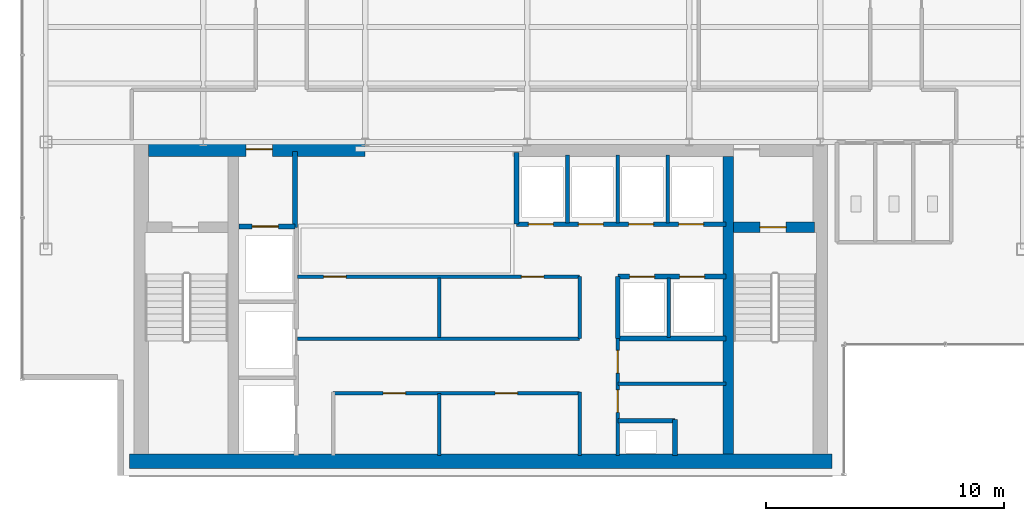
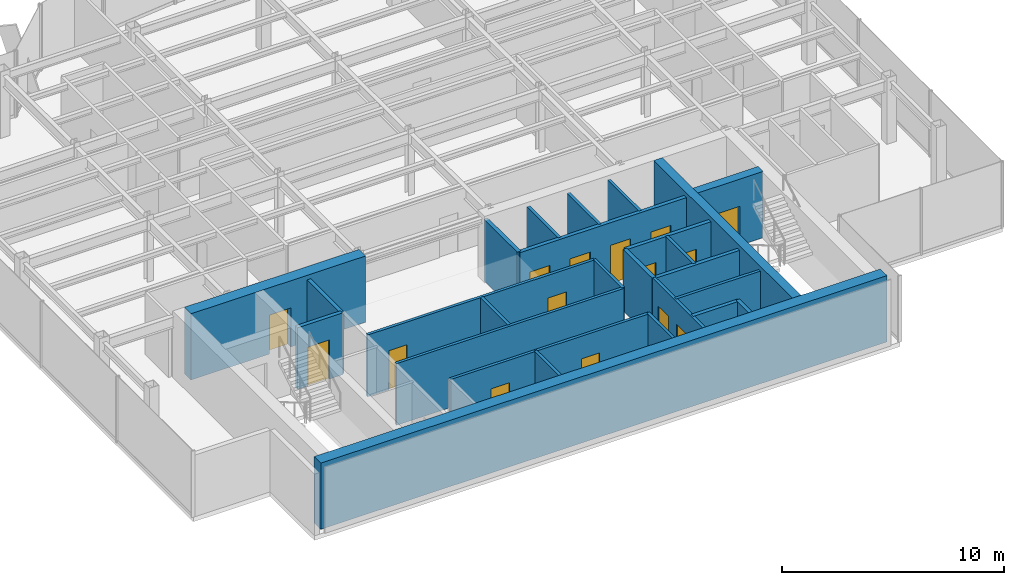
# One storey, part 17 of 22: 26 walls, 15 doors, 15 openings.
"""IFC4 building model written with IfcOpenShell, lengths in metres."""

from ifc_helpers import new_model, si_unit, derived_unit, direction, frame, frame_2d, origin, place, context, subcontext, project, spatial, rectangle, extrude, source, transform, mapped, material, layer, layer_set, type_object, element, fill, save


model = new_model("IFC4")

# Units and contexts
model_context = context("Model", 3, precision=1e-05, world=origin(), true_north=direction((0.0, 1.0)))
body_context = subcontext(model_context, "Body", "Model", "MODEL_VIEW")
ifc_project = project(units=[si_unit("LENGTHUNIT", "METRE"), si_unit("AREAUNIT", "SQUARE_METRE"), si_unit("VOLUMEUNIT", "CUBIC_METRE"), si_unit("PLANEANGLEUNIT", "RADIAN"), si_unit("MASSUNIT", "GRAM", prefix="KILO"), derived_unit("THERMALTRANSMITTANCEUNIT", [(si_unit("POWERUNIT", "WATT"), 1), (si_unit("LENGTHUNIT", "METRE"), -2), (si_unit("THERMODYNAMICTEMPERATUREUNIT", "KELVIN"), -1)])], contexts=[model_context])

# Site, building, storey
site_placement = place(None, origin())
site = spatial("IfcSite", under=ifc_project, at=site_placement, CompositionType="ELEMENT")
building_placement = place(site_placement, origin())
building = spatial("IfcBuilding", under=site, at=building_placement, Name="Skarnbrae Concourse Arena and Tower", CompositionType="ELEMENT")
storey_placement = place(building_placement, frame((0.0, 0.0, 266.10009765625)))
storey = spatial("IfcBuildingStorey", under=building, at=storey_placement, Name="L69", CompositionType="ELEMENT", Elevation=266.10009765625)

# Wall, opening, door
ifc_material_1 = material(Name="Concrete 50 MPa (C50/60)", Category="concrete")
ifc_layer_1 = layer(ifc_material_1, 0.449951171875)
ifc_layer_set_1 = layer_set([ifc_layer_1], Name="Concrete 50 MPa (C50/60)")
wall_type_1 = type_object("IfcWallType", Name="WALL-CORE-450-C50", PredefinedType="SHEAR", material=ifc_layer_set_1)
shared_shape_1 = source(origin(), body_context, "Body", "SweptSolid", [
    extrude(rectangle(XDim=3.389892578125, YDim=0.449951171875, at=frame_2d((1.69482421875, 0.0))), origin(), (0.0, 0.0, 1.0), 3.64990234375),
])
wall_1_placement = place(storey_placement, frame((29.860107421875, 10.419921875, 0.0), z_axis=(0.0, 0.0, 1.0), x_axis=(1.0, 0.0, 0.0)))
wall_1 = element("IfcWall", 1, at=wall_1_placement, inside=storey, type_object=wall_type_1, Name="L69 Rear core shear wall CW-ST2-N", PredefinedType="SHEAR", context=body_context, shape_type="MappedRepresentation", body=[
    mapped(shared_shape_1, transform((0.0, 0.0, 0.0))),
])
opening_1_placement = place(wall_1_placement, frame((1.10009765625, 0.0, 0.0)))
opening_1 = element("IfcOpeningElement", 2, at=opening_1_placement, cuts=wall_1, Name="Opening DT-03", PredefinedType="OPENING", context=body_context, shape_type="SweptSolid", body=[
    extrude(rectangle(XDim=1.10009765625, YDim=2.14990234375, at=frame_2d((0.550048828125, 1.074951171875))), frame((0.0, 0.23486328125, 0.0), z_axis=(0.0, -1.0, 0.0), x_axis=(1.0, 0.0, 0.0)), (0.0, 0.0, 1.0), 0.469970703125),
])
ifc_material_2 = material(Name="Steel CSA G40.21 350W", Category="steel")
door_type_1 = type_object("IfcDoorType", Name="DOOR-FIRE-1100-90M", OperationType="NOTDEFINED", PredefinedType="DOOR", material=ifc_material_2)
shared_shape_2 = source(origin(), body_context, "Body", "SweptSolid", [
    extrude(rectangle(XDim=1.10009765625, YDim=2.14990234375, at=frame_2d((0.550048828125, 1.074951171875))), frame((0.0, 0.02490234375, 0.0), z_axis=(0.0, -1.0, 0.0), x_axis=(1.0, 0.0, 0.0)), (0.0, 0.0, 1.0), 0.050048828125),
])
door_1_placement = place(opening_1_placement, frame((1.10009765625, 0.0, 0.0), z_axis=(0.0, 0.0, 1.0), x_axis=(-1.0, 0.0, 0.0)))
door_1 = element("IfcDoor", 3, at=door_1_placement, inside=storey, type_object=door_type_1, Name="D-2078 Stair ST-2 Door", OperationType="SINGLE_SWING_RIGHT", OverallHeight=2.14990234375, OverallWidth=1.10009765625, PredefinedType="DOOR", context=body_context, shape_type="MappedRepresentation", body=[
    mapped(shared_shape_2, transform((0.0, 0.0, 0.0))),
])
fill(opening_1, door_1)

# Wall
ifc_layer_2 = layer(ifc_material_1, 0.60009765625)
ifc_layer_set_2 = layer_set([ifc_layer_2], Name="Concrete 50 MPa (C50/60)")
wall_type_2 = type_object("IfcWallType", Name="WALL-CORE-600-C50", PredefinedType="SHEAR", material=ifc_layer_set_2)
shared_shape_3 = source(origin(), body_context, "Body", "SweptSolid", [
    extrude(rectangle(XDim=29.5, YDim=0.60009765625, at=frame_2d((14.75, 0.0))), origin(), (0.0, 0.0, 1.0), 3.64990234375),
])
wall_2_placement = place(storey_placement, frame((4.5, 0.60009765625, 0.0), z_axis=(0.0, 0.0, 1.0), x_axis=(1.0, 0.0, 0.0)))
element("IfcWall", 4, at=wall_2_placement, inside=storey, type_object=wall_type_2, Name="L69 Rear core shear wall CW-S", PredefinedType="SHEAR", context=body_context, shape_type="MappedRepresentation", body=[
    mapped(shared_shape_3, transform((0.0, 0.0, 0.0))),
])

# Wall, opening, door
shared_shape_4 = source(origin(), body_context, "Body", "SweptSolid", [
    extrude(rectangle(XDim=9.099853515625, YDim=0.60009765625, at=frame_2d((4.5498046875, 0.0))), origin(), (0.0, 0.0, 1.0), 3.64990234375),
])
wall_3_placement = place(storey_placement, frame((5.300048828125, 13.699951171875, 0.0), z_axis=(0.0, 0.0, 1.0), x_axis=(1.0, 0.0, 0.0)))
wall_3 = element("IfcWall", 5, at=wall_3_placement, inside=storey, type_object=wall_type_2, Name="L69 Rear core shear wall CW-NW", PredefinedType="SHEAR", context=body_context, shape_type="MappedRepresentation", body=[
    mapped(shared_shape_4, transform((0.0, 0.0, 0.0))),
])
opening_2_placement = place(wall_3_placement, frame((4.10009765625, 0.0, 0.0)))
opening_2 = element("IfcOpeningElement", 6, at=opening_2_placement, cuts=wall_3, Name="Opening DT-03", PredefinedType="OPENING", context=body_context, shape_type="SweptSolid", body=[
    extrude(rectangle(XDim=1.10009765625, YDim=2.14990234375, at=frame_2d((0.550048828125, 1.074951171875))), frame((0.0, 0.31005859375, 0.0), z_axis=(0.0, -1.0, 0.0), x_axis=(1.0, 0.0, 0.0)), (0.0, 0.0, 1.0), 0.6201171875),
])
door_2_placement = place(opening_2_placement, origin())
door_2 = element("IfcDoor", 7, at=door_2_placement, inside=storey, type_object=door_type_1, Name="D-2079 Firefighting Lobby Exit Door", OperationType="SINGLE_SWING_RIGHT", OverallHeight=2.14990234375, OverallWidth=1.10009765625, PredefinedType="DOOR", context=body_context, shape_type="MappedRepresentation", body=[
    mapped(shared_shape_2, transform((0.0, 0.0, 0.0))),
])
fill(opening_2, door_2)

# Walls
shared_shape_5 = source(origin(), body_context, "Body", "SweptSolid", [
    extrude(rectangle(XDim=12.5, YDim=0.449951171875, at=frame_2d((6.25, 0.0))), origin(), (0.0, 0.0, 1.0), 3.64990234375),
])
wall_4_placement = place(storey_placement, frame((29.635009765625, 0.89990234375, 0.0), z_axis=(0.0, 0.0, 1.0), x_axis=(0.0, 1.0, 0.0)))
element("IfcWall", 8, at=wall_4_placement, inside=storey, type_object=wall_type_1, Name="L69 Rear core shear wall CW-WEB-E", PredefinedType="SHEAR", context=body_context, shape_type="MappedRepresentation", body=[
    mapped(shared_shape_5, transform((0.0, 0.0, 0.0))),
])
ifc_material_3 = material(Name="Gypsum board on cold-formed steel studs", Category="steel")
ifc_layer_3 = layer(ifc_material_3, 0.199951171875)
ifc_layer_set_3 = layer_set([ifc_layer_3], Name="Gypsum board on cold-formed steel studs")
wall_type_3 = type_object("IfcWallType", Name="WALL-PART-200-2HR", PredefinedType="PARTITIONING", material=ifc_layer_set_3)
shared_shape_6 = source(origin(), body_context, "Body", "SweptSolid", [
    extrude(rectangle(XDim=3.18017578125, YDim=0.199951171875, at=frame_2d((1.590087890625, 0.0))), origin(), (0.0, 0.0, 1.0), 3.39990234375),
])
wall_5_placement = place(storey_placement, frame((11.449951171875, 10.419921875, 0.0), z_axis=(0.0, 0.0, 1.0), x_axis=(0.0, 1.0, 0.0)))
element("IfcWall", 9, at=wall_5_placement, inside=storey, type_object=wall_type_3, Name="L69 Interior partition wall W-L69-FFL-E", PredefinedType="PARTITIONING", context=body_context, shape_type="MappedRepresentation", body=[
    mapped(shared_shape_6, transform((0.0, 0.0, 0.0))),
])

# Wall, opening, door
shared_shape_7 = source(origin(), body_context, "Body", "SweptSolid", [
    extrude(rectangle(XDim=2.349853515625, YDim=0.199951171875, at=frame_2d((1.1748046875, 0.0))), origin(), (0.0, 0.0, 1.0), 3.39990234375),
])
wall_6_placement = place(storey_placement, frame((9.10009765625, 10.449951171875, 0.0), z_axis=(0.0, 0.0, 1.0), x_axis=(1.0, 0.0, 0.0)))
wall_6 = element("IfcWall", 10, at=wall_6_placement, inside=storey, type_object=wall_type_3, Name="L69 Interior partition wall W-L69-FL1-N", PredefinedType="PARTITIONING", context=body_context, shape_type="MappedRepresentation", body=[
    mapped(shared_shape_7, transform((0.0, 0.0, 0.0))),
])
opening_3_placement = place(wall_6_placement, frame((0.550048828125, 0.0, 0.0)))
opening_3 = element("IfcOpeningElement", 11, at=opening_3_placement, cuts=wall_6, Name="Opening LD-01", PredefinedType="OPENING", context=body_context, shape_type="SweptSolid", body=[
    extrude(rectangle(XDim=1.10009765625, YDim=2.14990234375, at=frame_2d((0.550048828125, 1.074951171875))), frame((0.0, 0.10986328125, 0.0), z_axis=(0.0, -1.0, 0.0), x_axis=(1.0, 0.0, 0.0)), (0.0, 0.0, 1.0), 0.219970703125),
])
door_type_2 = type_object("IfcDoorType", Name="DOOR-LIFT-SLIDE-1100", OperationType="SLIDING_TO_LEFT", PredefinedType="DOOR", material=ifc_material_2)
door_3_placement = place(opening_3_placement, origin())
door_3 = element("IfcDoor", 12, at=door_3_placement, inside=storey, type_object=door_type_2, Name="D-2081 Firefighting Lift Landing Door FL-01", OperationType="SLIDING_TO_LEFT", OverallHeight=2.14990234375, OverallWidth=1.10009765625, PredefinedType="DOOR", context=body_context, shape_type="MappedRepresentation", body=[
    mapped(shared_shape_2, transform((0.0, 0.0, 0.0))),
])
fill(opening_3, door_3)

# Walls
ifc_layer_4 = layer(ifc_material_3, 0.14990234375)
ifc_layer_set_4 = layer_set([ifc_layer_4], Name="Gypsum board on cold-formed steel studs")
wall_type_4 = type_object("IfcWallType", Name="WALL-PART-150", PredefinedType="PARTITIONING", material=ifc_layer_set_4)
shared_shape_8 = source(origin(), body_context, "Body", "SweptSolid", [
    extrude(rectangle(XDim=2.599853515625, YDim=0.14990234375, at=frame_2d((1.2998046875, 0.0))), origin(), (0.0, 0.0, 1.0), 3.39990234375),
])
wall_7_placement = place(storey_placement, frame((17.5, 0.85009765625, 0.0), z_axis=(0.0, 0.0, 1.0), x_axis=(0.0, 1.0, 0.0)))
element("IfcWall", 13, at=wall_7_placement, inside=storey, type_object=wall_type_4, Name="L69 Interior partition wall W-L69-B1M-C1", PredefinedType="PARTITIONING", context=body_context, shape_type="MappedRepresentation", body=[
    mapped(shared_shape_8, transform((0.0, 0.0, 0.0))),
])
shared_shape_9 = source(origin(), body_context, "Body", "SweptSolid", [
    extrude(rectangle(XDim=2.60009765625, YDim=0.199951171875, at=frame_2d((1.300048828125, 0.0))), origin(), (0.0, 0.0, 1.0), 3.39990234375),
])
wall_8_placement = place(storey_placement, frame((25.0, 5.75, 0.0), z_axis=(0.0, 0.0, 1.0), x_axis=(0.0, 1.0, 0.0)))
element("IfcWall", 14, at=wall_8_placement, inside=storey, type_object=wall_type_3, Name="L69 Interior partition wall W-L69-B3S-W", PredefinedType="PARTITIONING", context=body_context, shape_type="MappedRepresentation", body=[
    mapped(shared_shape_9, transform((0.0, 0.0, 0.0))),
])
shared_shape_10 = source(origin(), body_context, "Body", "SweptSolid", [
    extrude(rectangle(XDim=2.5, YDim=0.14990234375, at=frame_2d((1.25, 0.0))), origin(), (0.0, 0.0, 1.0), 3.39990234375),
])
for number, where, z_axis, x_axis, name in (
    (15, (17.5, 5.800048828125, 0.0), (0.0, 0.0, 1.0), (0.0, 1.0, 0.0), "L69 Interior partition wall W-L69-B2M-MID"),
    (16, (27.139892578125, 5.800048828125, 0.0), (0.0, 0.0, 1.0), (0.0, 1.0, 0.0), "L69 Interior partition wall W-L69-B3S-P1"),
):
    element("IfcWall", number, at=place(storey_placement, frame(where, z_axis=z_axis, x_axis=x_axis)), inside=storey, type_object=wall_type_4, Name=name, PredefinedType="PARTITIONING", context=body_context, shape_type="MappedRepresentation", body=[
        mapped(shared_shape_10, transform((0.0, 0.0, 0.0))),
    ])

# Wall, openings, doors
shared_shape_11 = source(origin(), body_context, "Body", "SweptSolid", [
    extrude(rectangle(XDim=8.800048828125, YDim=0.199951171875, at=frame_2d((4.39990234375, 0.0))), origin(), (0.0, 0.0, 1.0), 3.39990234375),
])
wall_9_placement = place(storey_placement, frame((20.75, 10.550048828125, 0.0), z_axis=(0.0, 0.0, 1.0), x_axis=(1.0, 0.0, 0.0)))
wall_9 = element("IfcWall", 17, at=wall_9_placement, inside=storey, type_object=wall_type_3, Name="L69 Interior partition wall W-L69-B3N-S", PredefinedType="PARTITIONING", context=body_context, shape_type="MappedRepresentation", body=[
    mapped(shared_shape_11, transform((0.0, 0.0, 0.0))),
])
opening_4_placement = place(wall_9_placement, frame((0.5, 0.0, 0.0)))
opening_4 = element("IfcOpeningElement", 18, at=opening_4_placement, cuts=wall_9, Name="Opening LD-04", PredefinedType="OPENING", context=body_context, shape_type="SweptSolid", body=[
    extrude(rectangle(XDim=1.050048828125, YDim=2.14990234375, at=frame_2d((0.52490234375, 1.074951171875))), frame((0.0, 0.10986328125, 0.0), z_axis=(0.0, -1.0, 0.0), x_axis=(1.0, 0.0, 0.0)), (0.0, 0.0, 1.0), 0.219970703125),
])
opening_5_placement = place(wall_9_placement, frame((2.60009765625, 0.0, 0.0)))
opening_5 = element("IfcOpeningElement", 19, at=opening_5_placement, cuts=wall_9, Name="Opening LD-04", PredefinedType="OPENING", context=body_context, shape_type="SweptSolid", body=[
    extrude(rectangle(XDim=1.050048828125, YDim=2.14990234375, at=frame_2d((0.52490234375, 1.074951171875))), frame((0.0, 0.10986328125, 0.0), z_axis=(0.0, -1.0, 0.0), x_axis=(1.0, 0.0, 0.0)), (0.0, 0.0, 1.0), 0.219970703125),
])
opening_6_placement = place(wall_9_placement, frame((4.699951171875, 0.0, 0.0)))
opening_6 = element("IfcOpeningElement", 20, at=opening_6_placement, cuts=wall_9, Name="Opening LD-04", PredefinedType="OPENING", context=body_context, shape_type="SweptSolid", body=[
    extrude(rectangle(XDim=1.050048828125, YDim=2.14990234375, at=frame_2d((0.52490234375, 1.074951171875))), frame((0.0, 0.10986328125, 0.0), z_axis=(0.0, -1.0, 0.0), x_axis=(1.0, 0.0, 0.0)), (0.0, 0.0, 1.0), 0.219970703125),
])
opening_7_placement = place(wall_9_placement, frame((6.800048828125, 0.0, 0.0)))
opening_7 = element("IfcOpeningElement", 21, at=opening_7_placement, cuts=wall_9, Name="Opening LD-04", PredefinedType="OPENING", context=body_context, shape_type="SweptSolid", body=[
    extrude(rectangle(XDim=1.050048828125, YDim=2.14990234375, at=frame_2d((0.52490234375, 1.074951171875))), frame((0.0, 0.10986328125, 0.0), z_axis=(0.0, -1.0, 0.0), x_axis=(1.0, 0.0, 0.0)), (0.0, 0.0, 1.0), 0.219970703125),
])
ifc_material_4 = material(Name="Bronze anodised aluminium 6063-T6", Category="aluminium")
door_type_3 = type_object("IfcDoorType", Name="DOOR-LIFT-SLIDE-1050H", OperationType="SLIDING_TO_LEFT", PredefinedType="DOOR", material=ifc_material_4)
shared_shape_12 = source(origin(), body_context, "Body", "SweptSolid", [
    extrude(rectangle(XDim=1.050048828125, YDim=2.14990234375, at=frame_2d((0.52490234375, 1.074951171875))), frame((0.0, 0.02490234375, 0.0), z_axis=(0.0, -1.0, 0.0), x_axis=(1.0, 0.0, 0.0)), (0.0, 0.0, 1.0), 0.050048828125),
])
door_4_placement = place(opening_4_placement, frame((1.050048828125, 0.0, 0.0), z_axis=(0.0, 0.0, 1.0), x_axis=(-1.0, 0.0, 0.0)))
door_4 = element("IfcDoor", 22, at=door_4_placement, inside=storey, type_object=door_type_3, Name="D-2088 Passenger Lift Landing Door PL-3A", OperationType="SLIDING_TO_LEFT", OverallHeight=2.14990234375, OverallWidth=1.050048828125, PredefinedType="DOOR", context=body_context, shape_type="MappedRepresentation", body=[
    mapped(shared_shape_12, transform((0.0, 0.0, 0.0))),
])
fill(opening_4, door_4)
door_5_placement = place(opening_5_placement, frame((1.050048828125, 0.0, 0.0), z_axis=(0.0, 0.0, 1.0), x_axis=(-1.0, 0.0, 0.0)))
door_5 = element("IfcDoor", 23, at=door_5_placement, inside=storey, type_object=door_type_3, Name="D-2089 Passenger Lift Landing Door PL-3B", OperationType="SLIDING_TO_LEFT", OverallHeight=2.14990234375, OverallWidth=1.050048828125, PredefinedType="DOOR", context=body_context, shape_type="MappedRepresentation", body=[
    mapped(shared_shape_12, transform((0.0, 0.0, 0.0))),
])
fill(opening_5, door_5)
door_6_placement = place(opening_6_placement, frame((1.050048828125, 0.0, 0.0), z_axis=(0.0, 0.0, 1.0), x_axis=(-1.0, 0.0, 0.0)))
door_6 = element("IfcDoor", 24, at=door_6_placement, inside=storey, type_object=door_type_3, Name="D-2090 Passenger Lift Landing Door PL-3C", OperationType="SLIDING_TO_LEFT", OverallHeight=2.14990234375, OverallWidth=1.050048828125, PredefinedType="DOOR", context=body_context, shape_type="MappedRepresentation", body=[
    mapped(shared_shape_12, transform((0.0, 0.0, 0.0))),
])
fill(opening_6, door_6)
door_7_placement = place(opening_7_placement, frame((1.050048828125, 0.0, 0.0), z_axis=(0.0, 0.0, 1.0), x_axis=(-1.0, 0.0, 0.0)))
door_7 = element("IfcDoor", 25, at=door_7_placement, inside=storey, type_object=door_type_3, Name="D-2091 Passenger Lift Landing Door PL-3D", OperationType="SLIDING_TO_LEFT", OverallHeight=2.14990234375, OverallWidth=1.050048828125, PredefinedType="DOOR", context=body_context, shape_type="MappedRepresentation", body=[
    mapped(shared_shape_12, transform((0.0, 0.0, 0.0))),
])
fill(opening_7, door_7)

# Walls
shared_shape_13 = source(origin(), body_context, "Body", "SweptSolid", [
    extrude(rectangle(XDim=3.0, YDim=0.199951171875, at=frame_2d((1.5, 0.0))), origin(), (0.0, 0.0, 1.0), 3.39990234375),
])
wall_10_placement = place(storey_placement, frame((20.75, 10.550048828125, 0.0), z_axis=(0.0, 0.0, 1.0), x_axis=(0.0, 1.0, 0.0)))
element("IfcWall", 26, at=wall_10_placement, inside=storey, type_object=wall_type_3, Name="L69 Interior partition wall W-L69-B3N-W", PredefinedType="PARTITIONING", context=body_context, shape_type="MappedRepresentation", body=[
    mapped(shared_shape_13, transform((0.0, 0.0, 0.0))),
])
shared_shape_14 = source(origin(), body_context, "Body", "SweptSolid", [
    extrude(rectangle(XDim=2.849853515625, YDim=0.14990234375, at=frame_2d((1.4248046875, 0.0))), origin(), (0.0, 0.0, 1.0), 3.39990234375),
])
for number, where, z_axis, x_axis, name in (
    (27, (22.889892578125, 10.60009765625, 0.0), (0.0, 0.0, 1.0), (0.0, 1.0, 0.0), "L69 Interior partition wall W-L69-B3N-P1"),
    (28, (24.989990234375, 10.60009765625, 0.0), (0.0, 0.0, 1.0), (0.0, 1.0, 0.0), "L69 Interior partition wall W-L69-B3N-P2"),
    (29, (27.090087890625, 10.60009765625, 0.0), (0.0, 0.0, 1.0), (0.0, 1.0, 0.0), "L69 Interior partition wall W-L69-B3N-P3"),
):
    element("IfcWall", number, at=place(storey_placement, frame(where, z_axis=z_axis, x_axis=x_axis)), inside=storey, type_object=wall_type_4, Name=name, PredefinedType="PARTITIONING", context=body_context, shape_type="MappedRepresentation", body=[
        mapped(shared_shape_14, transform((0.0, 0.0, 0.0))),
    ])

# Wall, openings, doors
shared_shape_15 = source(origin(), body_context, "Body", "SweptSolid", [
    extrude(rectangle(XDim=4.550048828125, YDim=0.199951171875, at=frame_2d((2.27490234375, 0.0))), origin(), (0.0, 0.0, 1.0), 3.39990234375),
])
wall_11_placement = place(storey_placement, frame((25.0, 8.35009765625, 0.0), z_axis=(0.0, 0.0, 1.0), x_axis=(1.0, 0.0, 0.0)))
wall_11 = element("IfcWall", 30, at=wall_11_placement, inside=storey, type_object=wall_type_3, Name="L69 Interior partition wall W-L69-B3S-N", PredefinedType="PARTITIONING", context=body_context, shape_type="MappedRepresentation", body=[
    mapped(shared_shape_15, transform((0.0, 0.0, 0.0))),
])
opening_8_placement = place(wall_11_placement, frame((0.5, 0.0, 0.0)))
opening_8 = element("IfcOpeningElement", 31, at=opening_8_placement, cuts=wall_11, Name="Opening LD-04", PredefinedType="OPENING", context=body_context, shape_type="SweptSolid", body=[
    extrude(rectangle(XDim=1.050048828125, YDim=2.14990234375, at=frame_2d((0.52490234375, 1.074951171875))), frame((0.0, 0.10986328125, 0.0), z_axis=(0.0, -1.0, 0.0), x_axis=(1.0, 0.0, 0.0)), (0.0, 0.0, 1.0), 0.219970703125),
])
opening_9_placement = place(wall_11_placement, frame((2.60009765625, 0.0, 0.0)))
opening_9 = element("IfcOpeningElement", 32, at=opening_9_placement, cuts=wall_11, Name="Opening LD-04", PredefinedType="OPENING", context=body_context, shape_type="SweptSolid", body=[
    extrude(rectangle(XDim=1.050048828125, YDim=2.14990234375, at=frame_2d((0.52490234375, 1.074951171875))), frame((0.0, 0.10986328125, 0.0), z_axis=(0.0, -1.0, 0.0), x_axis=(1.0, 0.0, 0.0)), (0.0, 0.0, 1.0), 0.219970703125),
])
door_8_placement = place(opening_8_placement, origin())
door_8 = element("IfcDoor", 33, at=door_8_placement, inside=storey, type_object=door_type_3, Name="D-2092 Passenger Lift Landing Door PL-3E", OperationType="SLIDING_TO_LEFT", OverallHeight=2.14990234375, OverallWidth=1.050048828125, PredefinedType="DOOR", context=body_context, shape_type="MappedRepresentation", body=[
    mapped(shared_shape_12, transform((0.0, 0.0, 0.0))),
])
fill(opening_8, door_8)
door_9_placement = place(opening_9_placement, origin())
door_9 = element("IfcDoor", 34, at=door_9_placement, inside=storey, type_object=door_type_3, Name="D-2093 Passenger Lift Landing Door PL-3F", OperationType="SLIDING_TO_LEFT", OverallHeight=2.14990234375, OverallWidth=1.050048828125, PredefinedType="DOOR", context=body_context, shape_type="MappedRepresentation", body=[
    mapped(shared_shape_12, transform((0.0, 0.0, 0.0))),
])
fill(opening_9, door_9)

# Wall
wall_12_placement = place(storey_placement, frame((25.0, 5.75, 0.0), z_axis=(0.0, 0.0, 1.0), x_axis=(1.0, 0.0, 0.0)))
element("IfcWall", 35, at=wall_12_placement, inside=storey, type_object=wall_type_3, Name="L69 Interior partition wall W-L69-B3S-S", PredefinedType="PARTITIONING", context=body_context, shape_type="MappedRepresentation", body=[
    mapped(shared_shape_15, transform((0.0, 0.0, 0.0))),
])

# Wall, openings, doors
ifc_layer_5 = layer(ifc_material_3, 0.14990234375)
ifc_layer_set_5 = layer_set([ifc_layer_5], Name="Gypsum board on cold-formed steel studs")
wall_type_5 = type_object("IfcWallType", Name="WALL-PART-150-1HR", PredefinedType="PARTITIONING", material=ifc_layer_set_5)
shared_shape_16 = source(origin(), body_context, "Body", "SweptSolid", [
    extrude(rectangle(XDim=4.89990234375, YDim=0.14990234375, at=frame_2d((2.449951171875, 0.0))), origin(), (0.0, 0.0, 1.0), 3.39990234375),
])
wall_13_placement = place(storey_placement, frame((25.0, 0.85009765625, 0.0), z_axis=(0.0, 0.0, 1.0), x_axis=(0.0, 1.0, 0.0)))
wall_13 = element("IfcWall", 36, at=wall_13_placement, inside=storey, type_object=wall_type_5, Name="L69 Interior partition wall W-L69-CSV-W", PredefinedType="PARTITIONING", context=body_context, shape_type="MappedRepresentation", body=[
    mapped(shared_shape_16, transform((0.0, 0.0, 0.0))),
])
opening_10_placement = place(wall_13_placement, frame((1.800048828125, 0.0, 0.0)))
opening_10 = element("IfcOpeningElement", 37, at=opening_10_placement, cuts=wall_13, Name="Opening DT-04", PredefinedType="OPENING", context=body_context, shape_type="SweptSolid", body=[
    extrude(rectangle(XDim=0.949951171875, YDim=2.14990234375, at=frame_2d((0.47509765625, 1.074951171875))), frame((0.0, 0.0849609375, 0.0), z_axis=(0.0, -1.0, 0.0), x_axis=(1.0, 0.0, 0.0)), (0.0, 0.0, 1.0), 0.169921875),
])
opening_11_placement = place(wall_13_placement, frame((3.449951171875, 0.0, 0.0)))
opening_11 = element("IfcOpeningElement", 38, at=opening_11_placement, cuts=wall_13, Name="Opening DT-04", PredefinedType="OPENING", context=body_context, shape_type="SweptSolid", body=[
    extrude(rectangle(XDim=0.949951171875, YDim=2.14990234375, at=frame_2d((0.47509765625, 1.074951171875))), frame((0.0, 0.0849609375, 0.0), z_axis=(0.0, -1.0, 0.0), x_axis=(1.0, 0.0, 0.0)), (0.0, 0.0, 1.0), 0.169921875),
])
door_type_4 = type_object("IfcDoorType", Name="DOOR-INT-950-45M", OperationType="NOTDEFINED", PredefinedType="DOOR", material=ifc_material_2)
shared_shape_17 = source(origin(), body_context, "Body", "SweptSolid", [
    extrude(rectangle(XDim=0.949951171875, YDim=2.14990234375, at=frame_2d((0.47509765625, 1.074951171875))), frame((0.0, 0.02490234375, 0.0), z_axis=(0.0, -1.0, 0.0), x_axis=(1.0, 0.0, 0.0)), (0.0, 0.0, 1.0), 0.050048828125),
])
door_10_placement = place(opening_10_placement, origin())
door_10 = element("IfcDoor", 39, at=door_10_placement, inside=storey, type_object=door_type_4, Name="D-2094 Electrical Switch Room Door", OperationType="SINGLE_SWING_LEFT", OverallHeight=2.14990234375, OverallWidth=0.949951171875, PredefinedType="DOOR", context=body_context, shape_type="MappedRepresentation", body=[
    mapped(shared_shape_17, transform((0.0, 0.0, 0.0))),
])
fill(opening_10, door_10)
door_11_placement = place(opening_11_placement, origin())
door_11 = element("IfcDoor", 40, at=door_11_placement, inside=storey, type_object=door_type_4, Name="D-2095 Cleaner Store Door", OperationType="SINGLE_SWING_RIGHT", OverallHeight=2.14990234375, OverallWidth=0.949951171875, PredefinedType="DOOR", context=body_context, shape_type="MappedRepresentation", body=[
    mapped(shared_shape_17, transform((0.0, 0.0, 0.0))),
])
fill(opening_11, door_11)

# Walls
shared_shape_18 = source(origin(), body_context, "Body", "SweptSolid", [
    extrude(rectangle(XDim=2.39990234375, YDim=0.199951171875, at=frame_2d((1.199951171875, 0.0))), origin(), (0.0, 0.0, 1.0), 3.39990234375),
])
wall_14_placement = place(storey_placement, frame((25.0, 2.300048828125, 0.0), z_axis=(0.0, 0.0, 1.0), x_axis=(1.0, 0.0, 0.0)))
element("IfcWall", 41, at=wall_14_placement, inside=storey, type_object=wall_type_3, Name="L69 Interior partition wall W-L69-MEP-N", PredefinedType="PARTITIONING", context=body_context, shape_type="MappedRepresentation", body=[
    mapped(shared_shape_18, transform((0.0, 0.0, 0.0))),
])
shared_shape_19 = source(origin(), body_context, "Body", "SweptSolid", [
    extrude(rectangle(XDim=1.5, YDim=0.199951171875, at=frame_2d((0.75, 0.0))), origin(), (0.0, 0.0, 1.0), 3.39990234375),
])
wall_15_placement = place(storey_placement, frame((27.39990234375, 0.85009765625, 0.0), z_axis=(0.0, 0.0, 1.0), x_axis=(0.0, 1.0, 0.0)))
element("IfcWall", 42, at=wall_15_placement, inside=storey, type_object=wall_type_3, Name="L69 Interior partition wall W-L69-MEP-E", PredefinedType="PARTITIONING", context=body_context, shape_type="MappedRepresentation", body=[
    mapped(shared_shape_19, transform((0.0, 0.0, 0.0))),
])
shared_shape_20 = source(origin(), body_context, "Body", "SweptSolid", [
    extrude(rectangle(XDim=4.550048828125, YDim=0.14990234375, at=frame_2d((2.27490234375, 0.0))), origin(), (0.0, 0.0, 1.0), 3.39990234375),
])
wall_16_placement = place(storey_placement, frame((25.0, 3.85009765625, 0.0), z_axis=(0.0, 0.0, 1.0), x_axis=(1.0, 0.0, 0.0)))
element("IfcWall", 43, at=wall_16_placement, inside=storey, type_object=wall_type_4, Name="L69 Interior partition wall W-L69-CSV-H", PredefinedType="PARTITIONING", context=body_context, shape_type="MappedRepresentation", body=[
    mapped(shared_shape_20, transform((0.0, 0.0, 0.0))),
])
shared_shape_21 = source(origin(), body_context, "Body", "SweptSolid", [
    extrude(rectangle(XDim=2.64990234375, YDim=0.14990234375, at=frame_2d((1.324951171875, 0.0))), origin(), (0.0, 0.0, 1.0), 3.39990234375),
])
wall_17_placement = place(storey_placement, frame((23.39990234375, 0.85009765625, 0.0), z_axis=(0.0, 0.0, 1.0), x_axis=(0.0, 1.0, 0.0)))
element("IfcWall", 44, at=wall_17_placement, inside=storey, type_object=wall_type_5, Name="L69 Interior partition wall W-L69-B1M-E", PredefinedType="PARTITIONING", context=body_context, shape_type="MappedRepresentation", body=[
    mapped(shared_shape_21, transform((0.0, 0.0, 0.0))),
])

# Wall, openings, doors
shared_shape_22 = source(origin(), body_context, "Body", "SweptSolid", [
    extrude(rectangle(XDim=10.349853515625, YDim=0.14990234375, at=frame_2d((5.1748046875, 0.0))), origin(), (0.0, 0.0, 1.0), 3.39990234375),
])
wall_18_placement = place(storey_placement, frame((13.050048828125, 3.449951171875, 0.0), z_axis=(0.0, 0.0, 1.0), x_axis=(1.0, 0.0, 0.0)))
wall_18 = element("IfcWall", 45, at=wall_18_placement, inside=storey, type_object=wall_type_5, Name="L69 Interior partition wall W-L69-B1M-N", PredefinedType="PARTITIONING", context=body_context, shape_type="MappedRepresentation", body=[
    mapped(shared_shape_22, transform((0.0, 0.0, 0.0))),
])
opening_12_placement = place(wall_18_placement, frame((2.10009765625, 0.0, 0.0)))
opening_12 = element("IfcOpeningElement", 46, at=opening_12_placement, cuts=wall_18, Name="Opening DT-04", PredefinedType="OPENING", context=body_context, shape_type="SweptSolid", body=[
    extrude(rectangle(XDim=0.949951171875, YDim=2.14990234375, at=frame_2d((0.47509765625, 1.074951171875))), frame((0.0, 0.0849609375, 0.0), z_axis=(0.0, -1.0, 0.0), x_axis=(1.0, 0.0, 0.0)), (0.0, 0.0, 1.0), 0.169921875),
])
opening_13_placement = place(wall_18_placement, frame((6.800048828125, 0.0, 0.0)))
opening_13 = element("IfcOpeningElement", 47, at=opening_13_placement, cuts=wall_18, Name="Opening DT-04", PredefinedType="OPENING", context=body_context, shape_type="SweptSolid", body=[
    extrude(rectangle(XDim=0.949951171875, YDim=2.14990234375, at=frame_2d((0.47509765625, 1.074951171875))), frame((0.0, 0.0849609375, 0.0), z_axis=(0.0, -1.0, 0.0), x_axis=(1.0, 0.0, 0.0)), (0.0, 0.0, 1.0), 0.169921875),
])
door_12_placement = place(opening_12_placement, origin())
door_12 = element("IfcDoor", 48, at=door_12_placement, inside=storey, type_object=door_type_4, Name="D-2084 Core IT Room Door", OperationType="SINGLE_SWING_LEFT", OverallHeight=2.14990234375, OverallWidth=0.949951171875, PredefinedType="DOOR", context=body_context, shape_type="MappedRepresentation", body=[
    mapped(shared_shape_17, transform((0.0, 0.0, 0.0))),
])
fill(opening_12, door_12)
door_13_placement = place(opening_13_placement, origin())
door_13 = element("IfcDoor", 49, at=door_13_placement, inside=storey, type_object=door_type_4, Name="D-2085 Core Records Store Door", OperationType="SINGLE_SWING_RIGHT", OverallHeight=2.14990234375, OverallWidth=0.949951171875, PredefinedType="DOOR", context=body_context, shape_type="MappedRepresentation", body=[
    mapped(shared_shape_17, transform((0.0, 0.0, 0.0))),
])
fill(opening_13, door_13)

# Wall
shared_shape_23 = source(origin(), body_context, "Body", "SweptSolid", [
    extrude(rectangle(XDim=11.849853515625, YDim=0.14990234375, at=frame_2d((5.9248046875, 0.0))), origin(), (0.0, 0.0, 1.0), 3.39990234375),
])
wall_19_placement = place(storey_placement, frame((11.550048828125, 5.75, 0.0), z_axis=(0.0, 0.0, 1.0), x_axis=(1.0, 0.0, 0.0)))
element("IfcWall", 50, at=wall_19_placement, inside=storey, type_object=wall_type_5, Name="L69 Interior partition wall W-L69-B2M-S", PredefinedType="PARTITIONING", context=body_context, shape_type="MappedRepresentation", body=[
    mapped(shared_shape_23, transform((0.0, 0.0, 0.0))),
])

# Wall, openings, doors
wall_20_placement = place(storey_placement, frame((11.550048828125, 8.35009765625, 0.0), z_axis=(0.0, 0.0, 1.0), x_axis=(1.0, 0.0, 0.0)))
wall_20 = element("IfcWall", 51, at=wall_20_placement, inside=storey, type_object=wall_type_5, Name="L69 Interior partition wall W-L69-B2M-N", PredefinedType="PARTITIONING", context=body_context, shape_type="MappedRepresentation", body=[
    mapped(shared_shape_23, transform((0.0, 0.0, 0.0))),
])
opening_14_placement = place(wall_20_placement, frame((1.10009765625, 0.0, 0.0)))
opening_14 = element("IfcOpeningElement", 52, at=opening_14_placement, cuts=wall_20, Name="Opening DT-04", PredefinedType="OPENING", context=body_context, shape_type="SweptSolid", body=[
    extrude(rectangle(XDim=0.949951171875, YDim=2.14990234375, at=frame_2d((0.47509765625, 1.074951171875))), frame((0.0, 0.0849609375, 0.0), z_axis=(0.0, -1.0, 0.0), x_axis=(1.0, 0.0, 0.0)), (0.0, 0.0, 1.0), 0.169921875),
])
opening_15_placement = place(wall_20_placement, frame((9.39990234375, 0.0, 0.0)))
opening_15 = element("IfcOpeningElement", 53, at=opening_15_placement, cuts=wall_20, Name="Opening DT-04", PredefinedType="OPENING", context=body_context, shape_type="SweptSolid", body=[
    extrude(rectangle(XDim=0.949951171875, YDim=2.14990234375, at=frame_2d((0.47509765625, 1.074951171875))), frame((0.0, 0.0849609375, 0.0), z_axis=(0.0, -1.0, 0.0), x_axis=(1.0, 0.0, 0.0)), (0.0, 0.0, 1.0), 0.169921875),
])
door_14_placement = place(opening_14_placement, origin())
door_14 = element("IfcDoor", 54, at=door_14_placement, inside=storey, type_object=door_type_4, Name="D-2086 High-Zone Data Door", OperationType="SINGLE_SWING_RIGHT", OverallHeight=2.14990234375, OverallWidth=0.949951171875, PredefinedType="DOOR", context=body_context, shape_type="MappedRepresentation", body=[
    mapped(shared_shape_17, transform((0.0, 0.0, 0.0))),
])
fill(opening_14, door_14)
door_15_placement = place(opening_15_placement, origin())
door_15 = element("IfcDoor", 55, at=door_15_placement, inside=storey, type_object=door_type_4, Name="D-2087 Reprographics Door", OperationType="SINGLE_SWING_LEFT", OverallHeight=2.14990234375, OverallWidth=0.949951171875, PredefinedType="DOOR", context=body_context, shape_type="MappedRepresentation", body=[
    mapped(shared_shape_17, transform((0.0, 0.0, 0.0))),
])
fill(opening_15, door_15)

# Wall
shared_shape_24 = source(origin(), body_context, "Body", "SweptSolid", [
    extrude(rectangle(XDim=2.60009765625, YDim=0.14990234375, at=frame_2d((1.300048828125, 0.0))), origin(), (0.0, 0.0, 1.0), 3.39990234375),
])
wall_21_placement = place(storey_placement, frame((23.39990234375, 5.75, 0.0), z_axis=(0.0, 0.0, 1.0), x_axis=(0.0, 1.0, 0.0)))
element("IfcWall", 56, at=wall_21_placement, inside=storey, type_object=wall_type_5, Name="L69 Interior partition wall W-L69-B2M-E", PredefinedType="PARTITIONING", context=body_context, shape_type="MappedRepresentation", body=[
    mapped(shared_shape_24, transform((0.0, 0.0, 0.0))),
])

save(model, "model.ifc")
